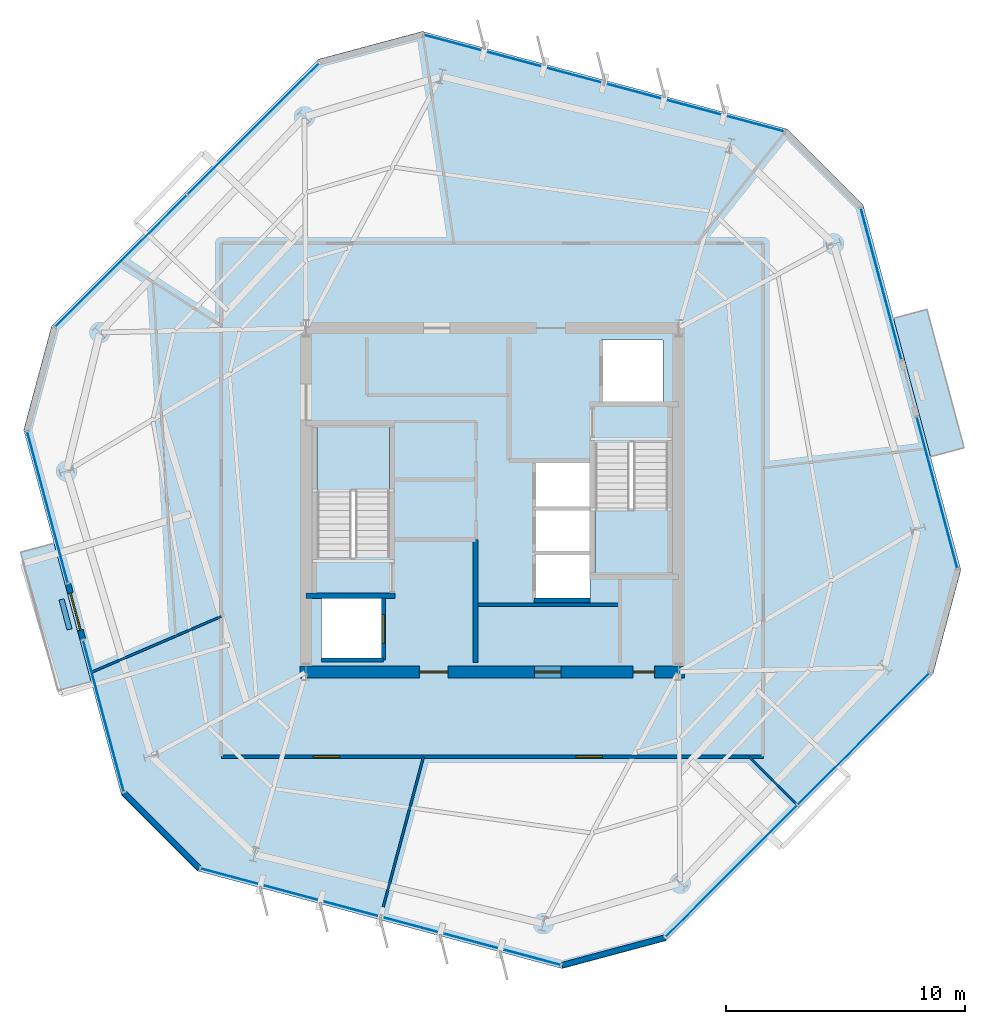
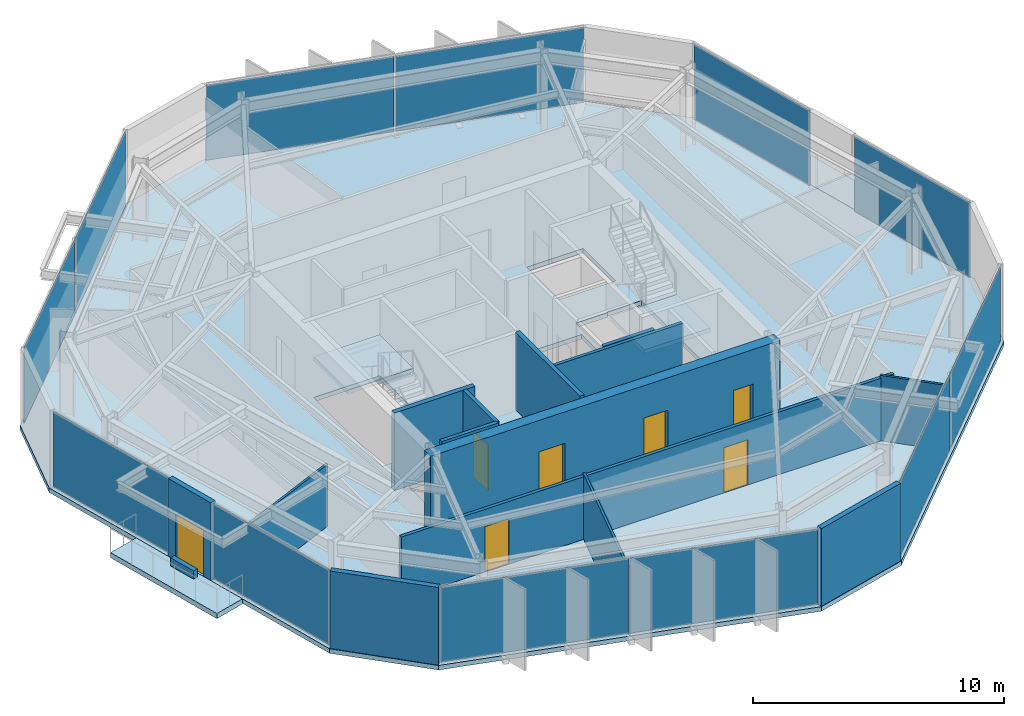
# One storey, part 7 of 12: 15 walls, 12 plates, 7 doors, 5 slabs, 7 openings, 10 elements without a shape of their own.
"""IFC4 building model written with IfcOpenShell, lengths in metres."""

from ifc_helpers import new_model, si_unit, direction, frame, frame_2d, origin, origin_2d, place, context, subcontext, project, spatial, polyline, rectangle, outline, extrude, material, layer, layer_set, type_object, element, fill, aggregate, save


model = new_model("IFC4")

# Units and contexts
model_context = context("Model", 3, precision=1e-05, world=origin(), true_north=direction((0.0, 1.0)))
body_context = subcontext(model_context, "Body", "Model", "MODEL_VIEW")
ifc_project = project(units=[si_unit("LENGTHUNIT", "METRE"), si_unit("AREAUNIT", "SQUARE_METRE"), si_unit("VOLUMEUNIT", "CUBIC_METRE"), si_unit("PLANEANGLEUNIT", "RADIAN"), si_unit("MASSUNIT", "GRAM", prefix="KILO")], contexts=[model_context])

# Site, building, storey
site_placement = place(None, origin())
site = spatial("IfcSite", under=ifc_project, at=site_placement, CompositionType="ELEMENT")
building_placement = place(site_placement, origin())
building = spatial("IfcBuilding", under=site, at=building_placement, Name="Kranzbogen Civic Tower", CompositionType="ELEMENT")
storey_placement = place(building_placement, frame((0.0, 0.0, 204.800048828125)))
storey = spatial("IfcBuildingStorey", under=building, at=storey_placement, Name="L49", CompositionType="ELEMENT", Elevation=204.800048828125)

# Slab
ifc_material_1 = material(Name="Concrete C40/50", Category="concrete")
ifc_layer_1 = layer(ifc_material_1, 0.219970703125, Name="Concrete C40/50")
ifc_layer_set_1 = layer_set([ifc_layer_1], Name="Concrete C40/50")
slab_type_1 = type_object("IfcSlabType", Name="Composite Upper Tower Floor Slab 220 mm", PredefinedType="FLOOR", material=ifc_layer_set_1)
slab_1_placement = place(storey_placement, frame((0.0, 0.0, -0.219970703125)))
element("IfcSlab", 1, at=slab_1_placement, inside=storey, type_object=slab_type_1, Name="L49 tower floor slab", PredefinedType="FLOOR", context=body_context, shape_type="SweptSolid", body=[
    extrude(outline(polyline([(37.35107421875, 40.532958984375), (22.070068359375, 44.626953125), (17.72412109375, 43.4619140625), (6.5380859375, 32.27587890625), (5.373046875, 27.929931640625), (9.467041015625, 12.64892578125), (12.64892578125, 9.467041015625), (27.929931640625, 5.373046875), (32.27587890625, 6.5380859375), (43.4619140625, 17.72412109375), (44.626953125, 22.070068359375), (40.532958984375, 37.35107421875), (37.35107421875, 40.532958984375)]), holes=[polyline([(17.85009765625, 20.89990234375), (20.449951171875, 20.89990234375), (20.449951171875, 18.300048828125), (17.85009765625, 18.300048828125), (17.85009765625, 20.89990234375)]), polyline([(29.10009765625, 22.699951171875), (29.10009765625, 20.800048828125), (26.75, 20.800048828125), (26.75, 22.699951171875), (29.10009765625, 22.699951171875)]), polyline([(29.10009765625, 24.64990234375), (29.10009765625, 22.77490234375), (26.75, 22.77490234375), (26.75, 24.64990234375), (26.75, 24.675048828125), (26.75, 26.550048828125), (29.10009765625, 26.550048828125), (29.10009765625, 24.675048828125), (29.10009765625, 24.64990234375)]), polyline([(29.300048828125, 27.340087890625), (30.75, 27.340087890625), (30.75, 27.39990234375), (32.35009765625, 27.39990234375), (32.35009765625, 21.89990234375), (29.300048828125, 21.89990234375), (29.300048828125, 27.340087890625)]), polyline([(20.699951171875, 22.659912109375), (19.25, 22.659912109375), (19.25, 22.60009765625), (17.64990234375, 22.60009765625), (17.64990234375, 28.10009765625), (20.699951171875, 28.10009765625), (20.699951171875, 22.659912109375)]), polyline([(32.14990234375, 31.699951171875), (32.14990234375, 29.10009765625), (29.550048828125, 29.10009765625), (29.550048828125, 31.699951171875), (32.14990234375, 31.699951171875)])]), origin(), (0.0, 0.0, 1.0), 0.219970703125),
])

# Curtain wall, plates
ifc_material_2 = material(Name="Pale Anodised Aluminium", Category="aluminium")
ifc_layer_2 = layer(ifc_material_2, 0.219970703125, Name="Pale Anodised Aluminium")
ifc_layer_set_2 = layer_set([ifc_layer_2], Name="Pale Anodised Aluminium")
curtain_wall_type = type_object("IfcCurtainWallType", Name="Zone 3 Stick Curtain Wall System CW-04", PredefinedType="USERDEFINED", material=ifc_layer_set_2)
curtain_wall_1_placement = place(storey_placement, origin())
curtain_wall_1 = element("IfcCurtainWall", 2, at=curtain_wall_1_placement, inside=storey, type_object=curtain_wall_type, Name="L49 curtain wall CW-L49-F1", ObjectType="STICK CURTAIN WALL", PredefinedType="USERDEFINED")
ifc_material_3 = material(Name="Low-E Triple Glazing Glass", Category="glass")
ifc_layer_3 = layer(ifc_material_3, 0.030029296875, Name="Low-E Triple Glazing Glass")
ifc_layer_set_3 = layer_set([ifc_layer_3], Name="Low-E Triple Glazing Glass")
plate_type = type_object("IfcPlateType", Name="Insulated Low-E Glazing Panel 30 mm", PredefinedType="CURTAIN_PANEL", material=ifc_layer_set_3)
plate_1_placement = place(storey_placement, frame((33.456298828125, 41.443359375, 0.06005859375), z_axis=(0.0, 0.0, 1.0), x_axis=(-0.965919350079, 0.25884321344, 0.0)))
plate_1 = element("IfcPlate", 3, at=plate_1_placement, type_object=plate_type, Name="CW-04 panel 1.1", PredefinedType="CURTAIN_PANEL", context=body_context, shape_type="SweptSolid", body=[
    extrude(rectangle(XDim=7.76416015625, YDim=0.028076171875, at=origin_2d()), origin(), (0.0, 0.0, 1.0), 3.659912109375),
])
plate_2_placement = place(storey_placement, frame((25.898681640625, 43.468505859375, 0.06005859375), z_axis=(0.0, 0.0, 1.0), x_axis=(-0.965919350079, 0.25884321344, 0.0)))
plate_2 = element("IfcPlate", 4, at=plate_2_placement, type_object=plate_type, Name="CW-04 panel 2.1", PredefinedType="CURTAIN_PANEL", context=body_context, shape_type="SweptSolid", body=[
    extrude(rectangle(XDim=7.76416015625, YDim=0.028076171875, at=origin_2d()), origin(), (0.0, 0.0, 1.0), 3.659912109375),
])
aggregate(curtain_wall_1, [plate_1, plate_2])

curtain_wall_2_placement = place(storey_placement, origin())
curtain_wall_2 = element("IfcCurtainWall", 5, at=curtain_wall_2_placement, inside=storey, type_object=curtain_wall_type, Name="L49 curtain wall CW-L49-F2", ObjectType="STICK CURTAIN WALL", PredefinedType="USERDEFINED")
plate_3_placement = place(storey_placement, frame((14.987548828125, 40.544677734375, 0.06005859375), z_axis=(0.0, 0.0, 1.0), x_axis=(-0.707106781187, -0.707106781187, 0.0)))
plate_3 = element("IfcPlate", 6, at=plate_3_placement, type_object=plate_type, Name="CW-04 panel 1.1", PredefinedType="CURTAIN_PANEL", context=body_context, shape_type="SweptSolid", body=[
    extrude(rectangle(XDim=7.763916015625, YDim=0.028076171875, at=origin_2d()), origin(), (0.0, 0.0, 1.0), 3.659912109375),
])
plate_4_placement = place(storey_placement, frame((9.455322265625, 35.012451171875, 0.06005859375), z_axis=(0.0, 0.0, 1.0), x_axis=(-0.707106781187, -0.707106781187, 0.0)))
plate_4 = element("IfcPlate", 7, at=plate_4_placement, type_object=plate_type, Name="CW-04 panel 2.1", PredefinedType="CURTAIN_PANEL", context=body_context, shape_type="SweptSolid", body=[
    extrude(rectangle(XDim=7.763916015625, YDim=0.028076171875, at=origin_2d()), origin(), (0.0, 0.0, 1.0), 3.659912109375),
])
aggregate(curtain_wall_2, [plate_3, plate_4])

# Curtain wall, plate
curtain_wall_3_placement = place(storey_placement, origin())
curtain_wall_3 = element("IfcCurtainWall", 8, at=curtain_wall_3_placement, inside=storey, type_object=curtain_wall_type, Name="L49 curtain wall CW-L49-F3-S1", ObjectType="STICK CURTAIN WALL", PredefinedType="USERDEFINED")
plate_5_placement = place(storey_placement, frame((6.3720703125, 24.695556640625, 0.06005859375), z_axis=(0.0, 0.0, 1.0), x_axis=(0.258803696103, -0.96592993891, 0.0)))
plate_5 = element("IfcPlate", 9, at=plate_5_placement, type_object=plate_type, Name="CW-04 panel 1.1", PredefinedType="CURTAIN_PANEL", context=body_context, shape_type="SweptSolid", body=[
    extrude(rectangle(XDim=6.53369140625, YDim=0.028076171875, at=origin_2d()), origin(), (0.0, 0.0, 1.0), 3.659912109375),
])
aggregate(curtain_wall_3, [plate_5])

curtain_wall_4_placement = place(storey_placement, origin())
curtain_wall_4 = element("IfcCurtainWall", 10, at=curtain_wall_4_placement, inside=storey, type_object=curtain_wall_type, Name="L49 curtain wall CW-L49-F3-S2", ObjectType="STICK CURTAIN WALL", PredefinedType="USERDEFINED")
plate_6_placement = place(storey_placement, frame((8.715576171875, 15.949951171875, 0.06005859375), z_axis=(0.0, 0.0, 1.0), x_axis=(0.25890633069, -0.965902433959, 0.0)))
plate_6 = element("IfcPlate", 11, at=plate_6_placement, type_object=plate_type, Name="CW-04 panel 1.1", PredefinedType="CURTAIN_PANEL", context=body_context, shape_type="SweptSolid", body=[
    extrude(rectangle(XDim=6.534912109375, YDim=0.028076171875, at=origin_2d()), origin(), (0.0, 0.0, 1.0), 3.659912109375),
])
aggregate(curtain_wall_4, [plate_6])

# Curtain wall, plates
curtain_wall_5_placement = place(storey_placement, origin())
curtain_wall_5 = element("IfcCurtainWall", 12, at=curtain_wall_5_placement, inside=storey, type_object=curtain_wall_type, Name="L49 curtain wall CW-L49-F4", ObjectType="STICK CURTAIN WALL", PredefinedType="USERDEFINED")
plate_7_placement = place(storey_placement, frame((16.543701171875, 8.556640625, 0.06005859375), z_axis=(0.0, 0.0, 1.0), x_axis=(0.965919350079, -0.25884321344, 0.0)))
plate_7 = element("IfcPlate", 13, at=plate_7_placement, type_object=plate_type, Name="CW-04 panel 1.1", PredefinedType="CURTAIN_PANEL", context=body_context, shape_type="SweptSolid", body=[
    extrude(rectangle(XDim=7.76416015625, YDim=0.028076171875, at=origin_2d()), origin(), (0.0, 0.0, 1.0), 3.659912109375),
])
plate_8_placement = place(storey_placement, frame((24.101318359375, 6.531494140625, 0.06005859375), z_axis=(0.0, 0.0, 1.0), x_axis=(0.965919350079, -0.25884321344, 0.0)))
plate_8 = element("IfcPlate", 14, at=plate_8_placement, type_object=plate_type, Name="CW-04 panel 2.1", PredefinedType="CURTAIN_PANEL", context=body_context, shape_type="SweptSolid", body=[
    extrude(rectangle(XDim=7.76416015625, YDim=0.028076171875, at=origin_2d()), origin(), (0.0, 0.0, 1.0), 3.659912109375),
])
aggregate(curtain_wall_5, [plate_7, plate_8])

curtain_wall_6_placement = place(storey_placement, origin())
curtain_wall_6 = element("IfcCurtainWall", 15, at=curtain_wall_6_placement, inside=storey, type_object=curtain_wall_type, Name="L49 curtain wall CW-L49-F5", ObjectType="STICK CURTAIN WALL", PredefinedType="USERDEFINED")
plate_9_placement = place(storey_placement, frame((35.012451171875, 9.455322265625, 0.06005859375), z_axis=(0.0, 0.0, 1.0), x_axis=(0.707106781187, 0.707106781187, 0.0)))
plate_9 = element("IfcPlate", 16, at=plate_9_placement, type_object=plate_type, Name="CW-04 panel 1.1", PredefinedType="CURTAIN_PANEL", context=body_context, shape_type="SweptSolid", body=[
    extrude(rectangle(XDim=7.763916015625, YDim=0.028076171875, at=origin_2d()), origin(), (0.0, 0.0, 1.0), 3.659912109375),
])
plate_10_placement = place(storey_placement, frame((40.544677734375, 14.987548828125, 0.06005859375), z_axis=(0.0, 0.0, 1.0), x_axis=(0.707106781187, 0.707106781187, 0.0)))
plate_10 = element("IfcPlate", 17, at=plate_10_placement, type_object=plate_type, Name="CW-04 panel 2.1", PredefinedType="CURTAIN_PANEL", context=body_context, shape_type="SweptSolid", body=[
    extrude(rectangle(XDim=7.763916015625, YDim=0.028076171875, at=origin_2d()), origin(), (0.0, 0.0, 1.0), 3.659912109375),
])
aggregate(curtain_wall_6, [plate_9, plate_10])

# Curtain wall, plate
curtain_wall_7_placement = place(storey_placement, origin())
curtain_wall_7 = element("IfcCurtainWall", 18, at=curtain_wall_7_placement, inside=storey, type_object=curtain_wall_type, Name="L49 curtain wall CW-L49-F6-S1", ObjectType="STICK CURTAIN WALL", PredefinedType="USERDEFINED")
plate_11_placement = place(storey_placement, frame((43.6279296875, 25.304443359375, 0.06005859375), z_axis=(0.0, 0.0, 1.0), x_axis=(-0.258803696103, 0.96592993891, 0.0)))
plate_11 = element("IfcPlate", 19, at=plate_11_placement, type_object=plate_type, Name="CW-04 panel 1.1", PredefinedType="CURTAIN_PANEL", context=body_context, shape_type="SweptSolid", body=[
    extrude(rectangle(XDim=6.53369140625, YDim=0.028076171875, at=origin_2d()), origin(), (0.0, 0.0, 1.0), 3.659912109375),
])
aggregate(curtain_wall_7, [plate_11])

curtain_wall_8_placement = place(storey_placement, origin())
curtain_wall_8 = element("IfcCurtainWall", 20, at=curtain_wall_8_placement, inside=storey, type_object=curtain_wall_type, Name="L49 curtain wall CW-L49-F6-S2", ObjectType="STICK CURTAIN WALL", PredefinedType="USERDEFINED")
plate_12_placement = place(storey_placement, frame((41.284423828125, 34.050048828125, 0.06005859375), z_axis=(0.0, 0.0, 1.0), x_axis=(-0.25890633069, 0.965902433959, 0.0)))
plate_12 = element("IfcPlate", 21, at=plate_12_placement, type_object=plate_type, Name="CW-04 panel 1.1", PredefinedType="CURTAIN_PANEL", context=body_context, shape_type="SweptSolid", body=[
    extrude(rectangle(XDim=6.534912109375, YDim=0.028076171875, at=origin_2d()), origin(), (0.0, 0.0, 1.0), 3.659912109375),
])
aggregate(curtain_wall_8, [plate_12])

# Stair, slab
ifc_material_4 = material(Name="Precast concrete C40/50", Category="concrete")
stair_type_1 = type_object("IfcStairType", Name="Tower Core Pressurized Dogleg Stair 1450", PredefinedType="HALF_TURN_STAIR", material=ifc_material_4)
stair_1_placement = place(storey_placement, origin())
stair_1 = element("IfcStair", 22, at=stair_1_placement, inside=storey, type_object=stair_type_1, Name="L49 Tower Core Pressurized Stair 1", PredefinedType="HALF_TURN_STAIR")
ifc_layer_4 = layer(ifc_material_4, 0.199951171875, Name="Precast concrete C40/50")
ifc_layer_set_4 = layer_set([ifc_layer_4], Name="Precast concrete C40/50")
slab_type_2 = type_object("IfcSlabType", Name="Precast Concrete Stair Landing Slab 200 mm", PredefinedType="LANDING", material=ifc_layer_set_4)
slab_2_placement = place(storey_placement, frame((0.0, 0.0, 1.800048828125)))
slab_2 = element("IfcSlab", 23, at=slab_2_placement, type_object=slab_type_2, Name="ST-T1 landing 1", PredefinedType="LANDING", context=body_context, shape_type="SweptSolid", body=[
    extrude(outline(polyline([(20.699951171875, 25.39990234375), (20.699951171875, 28.10009765625), (17.64990234375, 28.10009765625), (17.64990234375, 25.39990234375), (20.699951171875, 25.39990234375)])), origin(), (0.0, 0.0, 1.0), 0.199951171875),
])
aggregate(stair_1, [slab_2])

stair_type_2 = type_object("IfcStairType", Name="Tower Core Secondary Dogleg Stair 1450", PredefinedType="HALF_TURN_STAIR", material=ifc_material_4)
stair_2_placement = place(storey_placement, origin())
stair_2 = element("IfcStair", 24, at=stair_2_placement, inside=storey, type_object=stair_type_2, Name="L49 Tower Core Pressurized Stair 2", PredefinedType="HALF_TURN_STAIR")
slab_3_placement = place(storey_placement, frame((0.0, 0.0, 1.800048828125)))
slab_3 = element("IfcSlab", 25, at=slab_3_placement, type_object=slab_type_2, Name="ST-T2 landing 1", PredefinedType="LANDING", context=body_context, shape_type="SweptSolid", body=[
    extrude(outline(polyline([(29.300048828125, 24.60009765625), (29.300048828125, 21.89990234375), (32.35009765625, 21.89990234375), (32.35009765625, 24.60009765625), (29.300048828125, 24.60009765625)])), origin(), (0.0, 0.0, 1.0), 0.199951171875),
])
aggregate(stair_2, [slab_3])

# Slabs
ifc_layer_5 = layer(ifc_material_1, 0.25, Name="Concrete C40/50")
ifc_layer_set_5 = layer_set([ifc_layer_5], Name="Concrete C40/50")
slab_type_3 = type_object("IfcSlabType", Name="Tree Balcony Cantilevered Slab 250 mm", PredefinedType="FLOOR", material=ifc_layer_set_5)
slab_4_placement = place(storey_placement, frame((0.0, 0.0, -0.25)))
element("IfcSlab", 26, at=slab_4_placement, inside=storey, type_object=slab_type_3, Name="L49 cantilevered tree balcony L49-TB1", PredefinedType="FLOOR", context=body_context, shape_type="SweptSolid", body=[
    extrude(outline(polyline([(43.35595703125, 26.81298828125), (41.802978515625, 32.60791015625), (43.2041015625, 32.98291015625), (44.757080078125, 27.18798828125), (43.35595703125, 26.81298828125)])), origin(), (0.0, 0.0, 1.0), 0.25),
])
slab_5_placement = place(storey_placement, frame((0.0, 0.0, -0.25)))
element("IfcSlab", 27, at=slab_5_placement, inside=storey, type_object=slab_type_3, Name="L49 cantilevered tree balcony L49-TB2", PredefinedType="FLOOR", context=body_context, shape_type="SweptSolid", body=[
    extrude(outline(polyline([(6.64404296875, 23.18701171875), (8.197021484375, 17.39208984375), (6.7958984375, 17.01708984375), (5.242919921875, 22.81201171875), (6.64404296875, 23.18701171875)])), origin(), (0.0, 0.0, 1.0), 0.25),
])

# Wall
ifc_material_5 = material(Name="Double-Stud Acoustic Gypsum Partition")
ifc_layer_6 = layer(ifc_material_5, 0.14990234375, Name="Double-Stud Acoustic Gypsum Partition")
ifc_layer_set_6 = layer_set([ifc_layer_6], Name="Double-Stud Acoustic Gypsum Partition")
wall_type_1 = type_object("IfcWallType", Name="Acoustic Corridor and Clinical Partition 150 mm", PredefinedType="PARTITIONING", material=ifc_layer_set_6)
wall_1_placement = place(storey_placement, frame((24.39990234375, 20.610107421875, 0.0), z_axis=(0.0, 0.0, 1.0), x_axis=(1.0, 0.0, 0.0)))
element("IfcWall", 28, at=wall_1_placement, inside=storey, type_object=wall_type_1, Name="L49 records zone North wall", PredefinedType="PARTITIONING", context=body_context, shape_type="SweptSolid", body=[
    extrude(rectangle(XDim=5.900146484375, YDim=0.14990234375, at=frame_2d((2.9501953125, 0.0))), origin(), (0.0, 0.0, 1.0), 3.780029296875),
])

# Wall, openings, doors
wall_2_placement = place(storey_placement, frame((36.35009765625, 14.25, 0.0), z_axis=(0.0, 0.0, 1.0), x_axis=(-1.0, 0.0, 0.0)))
wall_2 = element("IfcWall", 29, at=wall_2_placement, inside=storey, type_object=wall_type_1, Name="L49 corridor partition 03", PredefinedType="PARTITIONING", context=body_context, shape_type="SweptSolid", body=[
    extrude(rectangle(XDim=22.7001953125, YDim=0.14990234375, at=frame_2d((11.35009765625, 0.0))), origin(), (0.0, 0.0, 1.0), 3.050048828125),
])
opening_1_placement = place(wall_2_placement, frame((17.740966796875, 0.0, 0.0)))
opening_1 = element("IfcOpeningElement", 30, at=opening_1_placement, cuts=wall_2, Name="Opening D-COR60", PredefinedType="OPENING", context=body_context, shape_type="SweptSolid", body=[
    extrude(rectangle(XDim=1.10009765625, YDim=2.199951171875, at=frame_2d((0.550048828125, 1.10009765625))), frame((0.0, 0.0849609375, 0.0), z_axis=(0.0, -1.0, 0.0), x_axis=(1.0, 0.0, 0.0)), (0.0, 0.0, 1.0), 0.169921875),
])
opening_2_placement = place(wall_2_placement, frame((6.735107421875, 0.0, 0.0)))
opening_2 = element("IfcOpeningElement", 31, at=opening_2_placement, cuts=wall_2, Name="Opening D-COR60", PredefinedType="OPENING", context=body_context, shape_type="SweptSolid", body=[
    extrude(rectangle(XDim=1.10009765625, YDim=2.199951171875, at=frame_2d((0.550048828125, 1.10009765625))), frame((0.0, 0.0849609375, 0.0), z_axis=(0.0, -1.0, 0.0), x_axis=(1.0, 0.0, 0.0)), (0.0, 0.0, 1.0), 0.169921875),
])
ifc_material_6 = material(Name="Oak Timber and Fire Core", Category="wood")
door_type_1 = type_object("IfcDoorType", Name="Corridor Acoustic Fire Door 1100x2200", OperationType="NOTDEFINED", PredefinedType="DOOR", material=ifc_material_6)
door_1_placement = place(opening_1_placement, origin())
door_1 = element("IfcDoor", 32, at=door_1_placement, inside=storey, type_object=door_type_1, Name="L49 Cultural Screening Clubroom door", OperationType="SINGLE_SWING_LEFT", OverallHeight=2.199951171875, OverallWidth=1.10009765625, PredefinedType="DOOR", context=body_context, shape_type="SweptSolid", body=[
    extrude(rectangle(XDim=1.10009765625, YDim=2.199951171875, at=frame_2d((0.550048828125, 1.10009765625))), frame((0.0, 0.02490234375, 0.0), z_axis=(0.0, -1.0, 0.0), x_axis=(1.0, 0.0, 0.0)), (0.0, 0.0, 1.0), 0.050048828125),
])
fill(opening_1, door_1)
door_2_placement = place(opening_2_placement, origin())
door_2 = element("IfcDoor", 33, at=door_2_placement, inside=storey, type_object=door_type_1, Name="L49 Citizen Services Kiosk door", OperationType="SINGLE_SWING_RIGHT", OverallHeight=2.199951171875, OverallWidth=1.10009765625, PredefinedType="DOOR", context=body_context, shape_type="SweptSolid", body=[
    extrude(rectangle(XDim=1.10009765625, YDim=2.199951171875, at=frame_2d((0.550048828125, 1.10009765625))), frame((0.0, 0.02490234375, 0.0), z_axis=(0.0, -1.0, 0.0), x_axis=(1.0, 0.0, 0.0)), (0.0, 0.0, 1.0), 0.050048828125),
])
fill(opening_2, door_2)

# Wall
ifc_material_7 = material(Name="Architectural Precast Terracotta Concrete C40/50", Category="masonry")
ifc_layer_7 = layer(ifc_material_7, 0.219970703125, Name="Architectural Precast Terracotta Concrete C40/50")
ifc_layer_set_7 = layer_set([ifc_layer_7], Name="Architectural Precast Terracotta Concrete C40/50")
wall_type_2 = type_object("IfcWallType", Name="Architectural Tree Planter Kerb Wall 220 mm", PredefinedType="USERDEFINED", material=ifc_layer_set_7)
wall_3_placement = place(storey_placement, frame((6.9580078125, 20.839111328125, 0.0), z_axis=(0.0, 0.0, 1.0), x_axis=(0.258363777467, -0.966047699906, 0.0)))
element("IfcWall", 34, at=wall_3_placement, inside=storey, type_object=wall_type_2, Name="L49 landscaped tree balcony planter L49-TB2", ObjectType="PLANTER_WALL", PredefinedType="USERDEFINED", context=body_context, shape_type="SweptSolid", body=[
    extrude(rectangle(XDim=1.30029296875, YDim=0.219970703125, at=frame_2d((0.650146484375, 0.0))), origin(), (0.0, 0.0, 1.0), 0.39990234375),
])

# Wall, openings, doors
ifc_material_8 = material(Name="Concrete C45/55", Category="concrete")
ifc_layer_8 = layer(ifc_material_8, 0.5, Name="Concrete C45/55")
ifc_layer_set_8 = layer_set([ifc_layer_8], Name="Concrete C45/55")
wall_type_3 = type_object("IfcWallType", Name="Central Core Shear Wall 500 mm", PredefinedType="SHEAR", material=ifc_layer_set_8)
wall_4_placement = place(storey_placement, frame((16.949951171875, 17.800048828125, 0.0), z_axis=(0.0, 0.0, 1.0), x_axis=(1.0, 0.0, 0.0)))
wall_4 = element("IfcWall", 35, at=wall_4_placement, inside=storey, type_object=wall_type_3, Name="L49 central core South shear wall", PredefinedType="SHEAR", context=body_context, shape_type="SweptSolid", body=[
    extrude(rectangle(XDim=16.10009765625, YDim=0.5, at=frame_2d((8.050048828125, 0.0))), origin(), (0.0, 0.0, 1.0), 3.780029296875),
])
opening_3_placement = place(wall_4_placement, frame((5.0, 0.0, 0.0)))
opening_3 = element("IfcOpeningElement", 36, at=opening_3_placement, cuts=wall_4, Name="Opening D-EX120", PredefinedType="OPENING", context=body_context, shape_type="SweptSolid", body=[
    extrude(rectangle(XDim=1.199951171875, YDim=2.25, at=frame_2d((0.60009765625, 1.125))), frame((0.0, 0.260009765625, 0.0), z_axis=(0.0, -1.0, 0.0), x_axis=(1.0, 0.0, 0.0)), (0.0, 0.0, 1.0), 0.52001953125),
])
opening_4_placement = place(wall_4_placement, frame((13.949951171875, 0.0, 0.0)))
opening_4 = element("IfcOpeningElement", 37, at=opening_4_placement, cuts=wall_4, Name="Opening D-WC90", PredefinedType="OPENING", context=body_context, shape_type="SweptSolid", body=[
    extrude(rectangle(XDim=0.89990234375, YDim=2.10009765625, at=frame_2d((0.449951171875, 1.050048828125))), frame((0.0, 0.260009765625, 0.0), z_axis=(0.0, -1.0, 0.0), x_axis=(1.0, 0.0, 0.0)), (0.0, 0.0, 1.0), 0.52001953125),
])
opening_5_placement = place(wall_4_placement, frame((9.824951171875, 0.0, 0.0)))
opening_5 = element("IfcOpeningElement", 38, at=opening_5_placement, cuts=wall_4, Name="Opening D-COR60", PredefinedType="OPENING", context=body_context, shape_type="SweptSolid", body=[
    extrude(rectangle(XDim=1.10009765625, YDim=2.199951171875, at=frame_2d((0.550048828125, 1.10009765625))), frame((0.0, 0.260009765625, 0.0), z_axis=(0.0, -1.0, 0.0), x_axis=(1.0, 0.0, 0.0)), (0.0, 0.0, 1.0), 0.52001953125),
])
door_3_placement = place(opening_5_placement, origin())
door_3 = element("IfcDoor", 39, at=door_3_placement, inside=storey, type_object=door_type_1, Name="L49 REC1 archive room door", OperationType="SINGLE_SWING_LEFT", OverallHeight=2.199951171875, OverallWidth=1.10009765625, PredefinedType="DOOR", context=body_context, shape_type="SweptSolid", body=[
    extrude(rectangle(XDim=1.10009765625, YDim=2.199951171875, at=frame_2d((0.550048828125, 1.10009765625))), frame((0.0, 0.02490234375, 0.0), z_axis=(0.0, -1.0, 0.0), x_axis=(1.0, 0.0, 0.0)), (0.0, 0.0, 1.0), 0.050048828125),
])
fill(opening_5, door_3)
ifc_material_9 = material(Name="Steel S355", Category="steel")
door_type_2 = type_object("IfcDoorType", Name="Exit Passageway Fire Door 1200x2250", OperationType="NOTDEFINED", PredefinedType="DOOR", material=ifc_material_9)
door_4_placement = place(opening_3_placement, origin())
door_4 = element("IfcDoor", 40, at=door_4_placement, inside=storey, type_object=door_type_2, Name="L49 West firefighting lobby corridor door", OperationType="SINGLE_SWING_RIGHT", OverallHeight=2.25, OverallWidth=1.199951171875, PredefinedType="DOOR", context=body_context, shape_type="SweptSolid", body=[
    extrude(rectangle(XDim=1.199951171875, YDim=2.25, at=frame_2d((0.60009765625, 1.125))), frame((0.0, 0.02490234375, 0.0), z_axis=(0.0, -1.0, 0.0), x_axis=(1.0, 0.0, 0.0)), (0.0, 0.0, 1.0), 0.050048828125),
])
fill(opening_3, door_4)
ifc_material_10 = material(Name="Moisture-Resistant Laminate")
door_type_3 = type_object("IfcDoorType", Name="Standard Restroom and Store Door 900x2100", OperationType="NOTDEFINED", PredefinedType="DOOR", material=ifc_material_10)
door_5_placement = place(opening_4_placement, origin())
door_5 = element("IfcDoor", 41, at=door_5_placement, inside=storey, type_object=door_type_3, Name="L49 East electrical riser access door", OperationType="SINGLE_SWING_RIGHT", OverallHeight=2.10009765625, OverallWidth=0.89990234375, PredefinedType="DOOR", context=body_context, shape_type="SweptSolid", body=[
    extrude(rectangle(XDim=0.89990234375, YDim=2.10009765625, at=frame_2d((0.449951171875, 1.050048828125))), frame((0.0, 0.02490234375, 0.0), z_axis=(0.0, -1.0, 0.0), x_axis=(1.0, 0.0, 0.0)), (0.0, 0.0, 1.0), 0.050048828125),
])
fill(opening_4, door_5)

# Walls
ifc_layer_9 = layer(ifc_material_8, 0.219970703125, Name="Concrete C45/55")
ifc_layer_set_9 = layer_set([ifc_layer_9], Name="Concrete C45/55")
wall_type_4 = type_object("IfcWallType", Name="Core Internal Stair Structural Wall 220 mm", PredefinedType="SOLIDWALL", material=ifc_layer_set_9)
wall_5_placement = place(storey_placement, frame((17.199951171875, 20.989990234375, 0.0), z_axis=(0.0, 0.0, 1.0), x_axis=(1.0, 0.0, 0.0)))
element("IfcWall", 42, at=wall_5_placement, inside=storey, type_object=wall_type_4, Name="L49 ST-T1 South structural stair wall", PredefinedType="SOLIDWALL", context=body_context, shape_type="SweptSolid", body=[
    extrude(rectangle(XDim=3.719970703125, YDim=0.219970703125, at=frame_2d((1.85986328125, 0.0))), origin(), (0.0, 0.0, 1.0), 3.780029296875),
])
ifc_material_11 = material(Name="Demountable Aluminium and Gypsum Partition", Category="aluminium")
ifc_layer_10 = layer(ifc_material_11, 0.10009765625, Name="Demountable Aluminium and Gypsum Partition")
ifc_layer_set_10 = layer_set([ifc_layer_10], Name="Demountable Aluminium and Gypsum Partition")
wall_type_5 = type_object("IfcWallType", Name="Demountable Office Partition 100 mm", PredefinedType="MOVABLE", material=ifc_layer_set_10)
wall_6_placement = place(storey_placement, frame((13.64990234375, 20.1220703125, 0.0), z_axis=(0.0, 0.0, 1.0), x_axis=(-0.918666330023, -0.395034396074, 0.0)))
element("IfcWall", 43, at=wall_6_placement, inside=storey, type_object=wall_type_5, Name="L49 radial room partition 03", PredefinedType="MOVABLE", context=body_context, shape_type="SweptSolid", body=[
    extrude(rectangle(XDim=5.89111328125, YDim=0.10009765625, at=frame_2d((2.945556640625, 0.0))), origin(), (0.0, 0.0, 1.0), 3.02001953125),
])
wall_7_placement = place(storey_placement, frame((22.1201171875, 14.25, 0.0), z_axis=(0.0, 0.0, 1.0), x_axis=(-0.258906402321, -0.965902414759, 0.0)))
element("IfcWall", 44, at=wall_7_placement, inside=storey, type_object=wall_type_5, Name="L49 radial room partition 04", PredefinedType="MOVABLE", context=body_context, shape_type="SweptSolid", body=[
    extrude(rectangle(XDim=6.926025390625, YDim=0.10009765625, at=frame_2d((3.462890625, 0.0))), origin(), (0.0, 0.0, 1.0), 3.179931640625),
])
wall_8_placement = place(storey_placement, frame((35.75, 14.25, 0.0), z_axis=(0.0, 0.0, 1.0), x_axis=(0.707106781187, -0.707106781187, 0.0)))
element("IfcWall", 45, at=wall_8_placement, inside=storey, type_object=wall_type_5, Name="L49 radial room partition 05", PredefinedType="MOVABLE", context=body_context, shape_type="SweptSolid", body=[
    extrude(rectangle(XDim=2.851318359375, YDim=0.10009765625, at=frame_2d((1.42578125, 0.0))), origin(), (0.0, 0.0, 1.0), 3.179931640625),
])
ifc_material_12 = material(Name="Gypsum Fireboard and Concrete Block", Category="concrete")
ifc_layer_11 = layer(ifc_material_12, 0.199951171875, Name="Gypsum Fireboard and Concrete Block")
ifc_layer_set_11 = layer_set([ifc_layer_11], Name="Gypsum Fireboard and Concrete Block")
wall_type_6 = type_object("IfcWallType", Name="Fire-Rated Exit Passageway and Stair Wall 200 mm", PredefinedType="PARTITIONING", material=ifc_layer_set_11)
wall_9_placement = place(storey_placement, frame((24.300048828125, 18.199951171875, 0.0), z_axis=(0.0, 0.0, 1.0), x_axis=(0.0, 1.0, 0.0)))
element("IfcWall", 46, at=wall_9_placement, inside=storey, type_object=wall_type_6, Name="L49 West firefighting lobby East wall", PredefinedType="PARTITIONING", context=body_context, shape_type="SweptSolid", body=[
    extrude(rectangle(XDim=5.150146484375, YDim=0.199951171875, at=frame_2d((2.5751953125, 0.0))), origin(), (0.0, 0.0, 1.0), 3.780029296875),
])
ifc_material_13 = material(Name="Gypsum Fireboard Shaftliner")
ifc_layer_12 = layer(ifc_material_13, 0.175048828125, Name="Gypsum Fireboard Shaftliner")
ifc_layer_set_12 = layer_set([ifc_layer_12], Name="Gypsum Fireboard Shaftliner")
wall_type_7 = type_object("IfcWallType", Name="Fire-Rated Lift and Service Shaft Wall 175 mm", PredefinedType="PARTITIONING", material=ifc_layer_set_12)
wall_10_placement = place(storey_placement, frame((26.75, 20.800048828125, 0.0), z_axis=(0.0, 0.0, 1.0), x_axis=(1.0, 0.0, 0.0)))
element("IfcWall", 47, at=wall_10_placement, inside=storey, type_object=wall_type_7, Name="L49 lift HP-01 side wall", PredefinedType="PARTITIONING", context=body_context, shape_type="SweptSolid", body=[
    extrude(rectangle(XDim=2.35009765625, YDim=0.175048828125, at=frame_2d((1.175048828125, 0.0))), origin(), (0.0, 0.0, 1.0), 3.780029296875),
])

# Wall, opening, door
wall_11_placement = place(storey_placement, frame((20.449951171875, 18.300048828125, 0.0), z_axis=(0.0, 0.0, 1.0), x_axis=(0.0, 1.0, 0.0)))
wall_11 = element("IfcWall", 48, at=wall_11_placement, inside=storey, type_object=wall_type_7, Name="L49 lift FF-01 landing wall", PredefinedType="PARTITIONING", context=body_context, shape_type="SweptSolid", body=[
    extrude(rectangle(XDim=2.599853515625, YDim=0.175048828125, at=frame_2d((1.2998046875, 0.0))), origin(), (0.0, 0.0, 1.0), 3.780029296875),
])
opening_6_placement = place(wall_11_placement, frame((0.699951171875, 0.0, 0.0)))
opening_6 = element("IfcOpeningElement", 49, at=opening_6_placement, cuts=wall_11, Name="Opening LD-FF-01", PredefinedType="OPENING", context=body_context, shape_type="SweptSolid", body=[
    extrude(rectangle(XDim=1.199951171875, YDim=2.199951171875, at=frame_2d((0.60009765625, 1.10009765625))), frame((0.0, 0.09765625, 0.0), z_axis=(0.0, -1.0, 0.0), x_axis=(1.0, 0.0, 0.0)), (0.0, 0.0, 1.0), 0.195068359375),
])
door_type_4 = type_object("IfcDoorType", Name="Firefighting and Stretcher Lift Sliding Landing Door 1200x2200", OperationType="DOUBLE_DOOR_SLIDING", PredefinedType="DOOR", material=ifc_material_2)
door_6_placement = place(opening_6_placement, origin())
door_6 = element("IfcDoor", 50, at=door_6_placement, inside=storey, type_object=door_type_4, Name="L49 lift FF-01 sliding landing door", OperationType="DOUBLE_DOOR_SLIDING", OverallHeight=2.199951171875, OverallWidth=1.199951171875, PredefinedType="DOOR", context=body_context, shape_type="SweptSolid", body=[
    extrude(rectangle(XDim=1.199951171875, YDim=2.199951171875, at=frame_2d((0.60009765625, 1.10009765625))), frame((0.0, 0.02490234375, 0.0), z_axis=(0.0, -1.0, 0.0), x_axis=(1.0, 0.0, 0.0)), (0.0, 0.0, 1.0), 0.050048828125),
])
fill(opening_6, door_6)

# Wall
wall_12_placement = place(storey_placement, frame((17.85009765625, 18.300048828125, 0.0), z_axis=(0.0, 0.0, 1.0), x_axis=(1.0, 0.0, 0.0)))
element("IfcWall", 51, at=wall_12_placement, inside=storey, type_object=wall_type_7, Name="L49 lift FF-01 side wall", PredefinedType="PARTITIONING", context=body_context, shape_type="SweptSolid", body=[
    extrude(rectangle(XDim=2.599853515625, YDim=0.175048828125, at=frame_2d((1.2998046875, 0.0))), origin(), (0.0, 0.0, 1.0), 3.780029296875),
])

# Wall, opening, door
ifc_layer_13 = layer(ifc_material_2, 0.239990234375, Name="Pale Anodised Aluminium")
ifc_layer_set_13 = layer_set([ifc_layer_13], Name="Pale Anodised Aluminium")
wall_type_8 = type_object("IfcWallType", Name="Insulated Aluminium Facade Portal Wall 240 mm", PredefinedType="STANDARD", material=ifc_layer_set_13)
wall_13_placement = place(storey_placement, frame((7.23291015625, 21.48193359375, 0.0), z_axis=(0.0, 0.0, 1.0), x_axis=(0.258827623195, -0.965923527755, 0.0)))
wall_13 = element("IfcWall", 52, at=wall_13_placement, inside=storey, type_object=wall_type_8, Name="L49 exterior entrance portal wall 1", PredefinedType="STANDARD", context=body_context, shape_type="SweptSolid", body=[
    extrude(rectangle(XDim=2.399658203125, YDim=0.239990234375, at=frame_2d((1.19970703125, 0.0))), origin(), (0.0, 0.0, 1.0), 3.780029296875),
])
opening_7_placement = place(wall_13_placement, frame((0.39990234375, 0.0, 0.0)))
opening_7 = element("IfcOpeningElement", 53, at=opening_7_placement, cuts=wall_13, Name="Opening D-TER", PredefinedType="OPENING", context=body_context, shape_type="SweptSolid", body=[
    extrude(rectangle(XDim=1.60009765625, YDim=2.25, at=frame_2d((0.800048828125, 1.125))), frame((0.0, 0.1298828125, 0.0), z_axis=(0.0, -1.0, 0.0), x_axis=(1.0, 0.0, 0.0)), (0.0, 0.0, 1.0), 0.260009765625),
])
ifc_material_14 = material(Name="Anodised Bronze and Triple Glass", Category="glass")
door_type_5 = type_object("IfcDoorType", Name="Glazed Terrace and Balcony Double Door 1600x2250", OperationType="DOUBLE_DOOR_SINGLE_SWING", PredefinedType="DOOR", material=ifc_material_14)
door_7_placement = place(opening_7_placement, frame((1.60009765625, 0.0, 0.0), z_axis=(0.0, 0.0, 1.0), x_axis=(-1.0, 0.0, 0.0)))
door_7 = element("IfcDoor", 54, at=door_7_placement, inside=storey, type_object=door_type_5, Name="L49 tree balcony access door L49-TB2", OperationType="DOUBLE_DOOR_SINGLE_SWING", OverallHeight=2.25, OverallWidth=1.60009765625, PredefinedType="DOOR", context=body_context, shape_type="SweptSolid", body=[
    extrude(rectangle(XDim=1.60009765625, YDim=2.25, at=frame_2d((0.800048828125, 1.125))), frame((0.0, 0.02490234375, 0.0), z_axis=(0.0, -1.0, 0.0), x_axis=(1.0, 0.0, 0.0)), (0.0, 0.0, 1.0), 0.050048828125),
])
fill(opening_7, door_7)

# Walls
wall_14_placement = place(storey_placement, frame((9.576904296875, 12.736083984375, 0.0), z_axis=(0.0, 0.0, 1.0), x_axis=(0.707106781187, -0.707106781187, 0.0)))
element("IfcWall", 55, at=wall_14_placement, inside=storey, type_object=wall_type_8, Name="L49 chamfered corner facade spandrel 3", PredefinedType="STANDARD", context=body_context, shape_type="SweptSolid", body=[
    extrude(rectangle(XDim=4.4677734375, YDim=0.239990234375, at=frame_2d((2.23388671875, 0.0))), origin(), (0.0, 0.0, 1.0), 3.780029296875),
])
wall_15_placement = place(storey_placement, frame((27.908935546875, 5.510986328125, 0.0), z_axis=(0.0, 0.0, 1.0), x_axis=(0.965899511245, 0.258917234221, 0.0)))
element("IfcWall", 56, at=wall_15_placement, inside=storey, type_object=wall_type_8, Name="L49 chamfered corner facade spandrel 4", PredefinedType="STANDARD", context=body_context, shape_type="SweptSolid", body=[
    extrude(rectangle(XDim=4.468505859375, YDim=0.239990234375, at=frame_2d((2.234375, 0.0))), origin(), (0.0, 0.0, 1.0), 3.780029296875),
])

save(model, "model.ifc")
